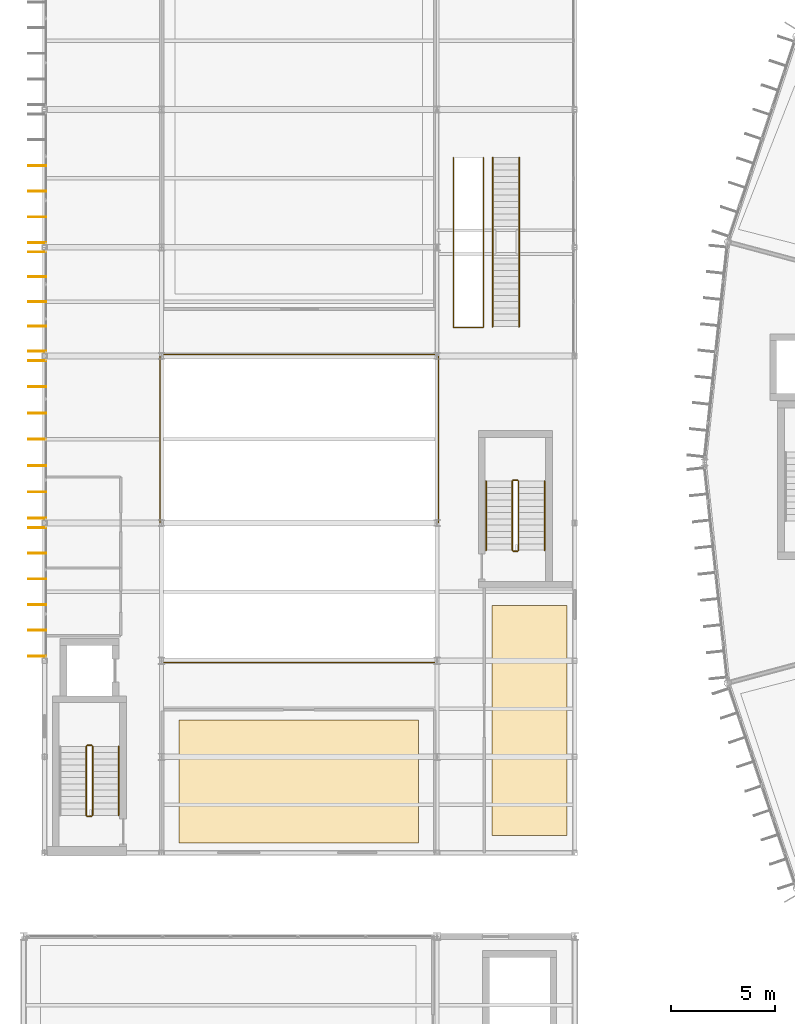
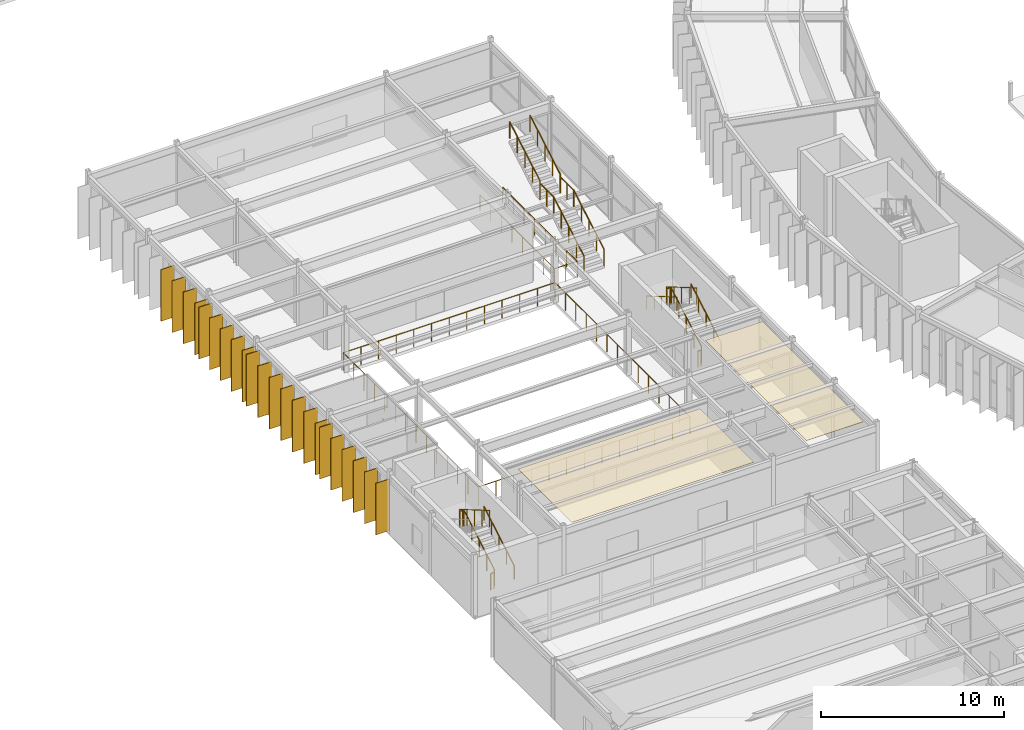
# One storey, part 135 of 147: 22 shading devices, 19 railings, 2 coverings.
"""IFC4 building model written with IfcOpenShell, lengths in metres."""

from ifc_helpers import new_model, si_unit, direction, frame, origin, origin_2d, place, context, subcontext, project, spatial, polyline, rectangle, circle, outline, extrude, material, layer, layer_set, type_object, element, save


model = new_model("IFC4")

# Units and contexts
model_context = context("Model", 3, precision=1e-05, world=origin(), true_north=direction((0.0, 1.0)))
body_context = subcontext(model_context, "Body", "Model", "MODEL_VIEW")
ifc_project = project(units=[si_unit("LENGTHUNIT", "METRE"), si_unit("AREAUNIT", "SQUARE_METRE"), si_unit("VOLUMEUNIT", "CUBIC_METRE"), si_unit("PLANEANGLEUNIT", "RADIAN"), si_unit("MASSUNIT", "GRAM", prefix="KILO")], contexts=[model_context])

# Site, building, storey
site_placement = place(None, origin())
site = spatial("IfcSite", under=ifc_project, at=site_placement, CompositionType="ELEMENT")
building_placement = place(site_placement, origin())
building = spatial("IfcBuilding", under=site, at=building_placement, Name="Karori Crest Natural Sciences Institute", CompositionType="ELEMENT")
storey_placement = place(building_placement, frame((0.0, 0.0, 9.10009765625)))
storey = spatial("IfcBuildingStorey", under=building, at=storey_placement, Name="L02", CompositionType="ELEMENT", Elevation=9.10009765625)

# Coverings
ifc_material_1 = material(Name="Acoustic mineral fibre ceiling tile")
ifc_layer_1 = layer(ifc_material_1, 0.02490234375, Name="Acoustic mineral fibre ceiling tile")
ifc_layer_set_1 = layer_set([ifc_layer_1], Name="Acoustic mineral fibre ceiling tile")
covering_type = type_object("IfcCoveringType", Name="CVT-CEIL", PredefinedType="CEILING", material=ifc_layer_set_1)
covering_1_placement = place(storey_placement, frame((0.0, 0.0, 3.704833984375)))
element("IfcCovering", 1, at=covering_1_placement, inside=storey, type_object=covering_type, Name="Acoustic ceiling CLG-0052", PredefinedType="CEILING", context=body_context, shape_type="SweptSolid", body=[
    extrude(outline(polyline([(8.23291015625, 37.570556640625), (8.23291015625, 31.679443359375), (19.71728515625, 31.679443359375), (19.71728515625, 37.570556640625), (8.23291015625, 37.570556640625)])), origin(), (0.0, 0.0, 1.0), 0.025146484375),
])
covering_2_placement = place(storey_placement, frame((0.0, 0.0, 3.704833984375)))
element("IfcCovering", 2, at=covering_2_placement, inside=storey, type_object=covering_type, Name="Acoustic ceiling CLG-0053", PredefinedType="CEILING", context=body_context, shape_type="SweptSolid", body=[
    extrude(outline(polyline([(23.22705078125, 43.054443359375), (23.22705078125, 32.025390625), (26.822998046875, 32.025390625), (26.822998046875, 43.054443359375), (23.22705078125, 43.054443359375)])), origin(), (0.0, 0.0, 1.0), 0.025146484375),
])

# Railings
ifc_material_2 = material(Name="Stainless steel 316 balustrade", Category="steel")
railing_type_1 = type_object("IfcRailingType", Name="RLT-GRD", PredefinedType="GUARDRAIL", material=ifc_material_2)
railing_1_placement = place(storey_placement, frame((7.320068359375, 40.320068359375, 0.0)))
element("IfcRailing", 3, at=railing_1_placement, inside=storey, type_object=railing_type_1, Name="Atrium void perimeter guard GR-0009", PredefinedType="GUARDRAIL", context=body_context, shape_type="SweptSolid", body=[
    extrude(circle(Radius=0.02392578125, at=origin_2d()), frame((0.0, 0.0, 1.17578125), z_axis=(1.0, 0.0, 0.0), x_axis=(0.0, 1.0, 0.0)), (0.0, 0.0, 1.0), 13.35986328125),
    extrude(circle(Radius=0.02392578125, at=origin_2d()), frame((13.35986328125, 0.0, 1.17578125), z_axis=(0.0, 1.0, 0.0), x_axis=(-1.0, 0.0, 0.0)), (0.0, 0.0, 1.0), 14.760009765625),
    extrude(circle(Radius=0.02392578125, at=origin_2d()), frame((13.35986328125, 14.760009765625, 1.17578125), z_axis=(-1.0, 0.0, 0.0), x_axis=(0.0, -1.0, 0.0)), (0.0, 0.0, 1.0), 13.35986328125),
    extrude(circle(Radius=0.02392578125, at=origin_2d()), frame((0.0, 14.760009765625, 1.17578125), z_axis=(0.0, -1.0, 0.0), x_axis=(1.0, 0.0, 0.0)), (0.0, 0.0, 1.0), 14.760009765625),
    extrude(circle(Radius=0.02099609375, at=origin_2d()), origin(), (0.0, 0.0, 1.0), 1.15185546875),
    extrude(circle(Radius=0.02099609375, at=origin_2d()), frame((1.11328125, 0.0, 0.0)), (0.0, 0.0, 1.0), 1.15185546875),
    extrude(circle(Radius=0.02099609375, at=origin_2d()), frame((2.2265625, 0.0, 0.0)), (0.0, 0.0, 1.0), 1.15185546875),
    extrude(circle(Radius=0.02099609375, at=origin_2d()), frame((3.33984375, 0.0, 0.0)), (0.0, 0.0, 1.0), 1.15185546875),
    extrude(circle(Radius=0.02099609375, at=origin_2d()), frame((4.453369140625, 0.0, 0.0)), (0.0, 0.0, 1.0), 1.15185546875),
    extrude(circle(Radius=0.02099609375, at=origin_2d()), frame((5.566650390625, 0.0, 0.0)), (0.0, 0.0, 1.0), 1.15185546875),
    extrude(circle(Radius=0.02099609375, at=origin_2d()), frame((6.679931640625, 0.0, 0.0)), (0.0, 0.0, 1.0), 1.15185546875),
    extrude(circle(Radius=0.02099609375, at=origin_2d()), frame((7.793212890625, 0.0, 0.0)), (0.0, 0.0, 1.0), 1.15185546875),
    extrude(circle(Radius=0.02099609375, at=origin_2d()), frame((8.906494140625, 0.0, 0.0)), (0.0, 0.0, 1.0), 1.15185546875),
    extrude(circle(Radius=0.02099609375, at=origin_2d()), frame((10.02001953125, 0.0, 0.0)), (0.0, 0.0, 1.0), 1.15185546875),
    extrude(circle(Radius=0.02099609375, at=origin_2d()), frame((11.13330078125, 0.0, 0.0)), (0.0, 0.0, 1.0), 1.15185546875),
    extrude(circle(Radius=0.02099609375, at=origin_2d()), frame((12.24658203125, 0.0, 0.0)), (0.0, 0.0, 1.0), 1.15185546875),
    extrude(circle(Radius=0.02099609375, at=origin_2d()), frame((13.35986328125, 0.0, 0.0)), (0.0, 0.0, 1.0), 1.15185546875),
    extrude(circle(Radius=0.02099609375, at=origin_2d()), frame((13.35986328125, 1.135498046875, 0.0)), (0.0, 0.0, 1.0), 1.15185546875),
    extrude(circle(Radius=0.02099609375, at=origin_2d()), frame((13.35986328125, 2.270751953125, 0.0)), (0.0, 0.0, 1.0), 1.15185546875),
    extrude(circle(Radius=0.02099609375, at=origin_2d()), frame((13.35986328125, 3.40625, 0.0)), (0.0, 0.0, 1.0), 1.15185546875),
    extrude(circle(Radius=0.02099609375, at=origin_2d()), frame((13.35986328125, 4.54150390625, 0.0)), (0.0, 0.0, 1.0), 1.15185546875),
    extrude(circle(Radius=0.02099609375, at=origin_2d()), frame((13.35986328125, 5.677001953125, 0.0)), (0.0, 0.0, 1.0), 1.15185546875),
    extrude(circle(Radius=0.02099609375, at=origin_2d()), frame((13.35986328125, 6.812255859375, 0.0)), (0.0, 0.0, 1.0), 1.15185546875),
    extrude(circle(Radius=0.02099609375, at=origin_2d()), frame((13.35986328125, 7.94775390625, 0.0)), (0.0, 0.0, 1.0), 1.15185546875),
    extrude(circle(Radius=0.02099609375, at=origin_2d()), frame((13.35986328125, 9.0830078125, 0.0)), (0.0, 0.0, 1.0), 1.15185546875),
    extrude(circle(Radius=0.02099609375, at=origin_2d()), frame((13.35986328125, 10.218505859375, 0.0)), (0.0, 0.0, 1.0), 1.15185546875),
    extrude(circle(Radius=0.02099609375, at=origin_2d()), frame((13.35986328125, 11.353759765625, 0.0)), (0.0, 0.0, 1.0), 1.15185546875),
    extrude(circle(Radius=0.02099609375, at=origin_2d()), frame((13.35986328125, 12.4892578125, 0.0)), (0.0, 0.0, 1.0), 1.15185546875),
    extrude(circle(Radius=0.02099609375, at=origin_2d()), frame((13.35986328125, 13.62451171875, 0.0)), (0.0, 0.0, 1.0), 1.15185546875),
    extrude(circle(Radius=0.02099609375, at=origin_2d()), frame((13.35986328125, 14.760009765625, 0.0)), (0.0, 0.0, 1.0), 1.15185546875),
    extrude(circle(Radius=0.02099609375, at=origin_2d()), frame((12.24658203125, 14.760009765625, 0.0)), (0.0, 0.0, 1.0), 1.15185546875),
    extrude(circle(Radius=0.02099609375, at=origin_2d()), frame((11.13330078125, 14.760009765625, 0.0)), (0.0, 0.0, 1.0), 1.15185546875),
    extrude(circle(Radius=0.02099609375, at=origin_2d()), frame((10.02001953125, 14.760009765625, 0.0)), (0.0, 0.0, 1.0), 1.15185546875),
    extrude(circle(Radius=0.02099609375, at=origin_2d()), frame((8.906494140625, 14.760009765625, 0.0)), (0.0, 0.0, 1.0), 1.15185546875),
    extrude(circle(Radius=0.02099609375, at=origin_2d()), frame((7.793212890625, 14.760009765625, 0.0)), (0.0, 0.0, 1.0), 1.15185546875),
    extrude(circle(Radius=0.02099609375, at=origin_2d()), frame((6.679931640625, 14.760009765625, 0.0)), (0.0, 0.0, 1.0), 1.15185546875),
    extrude(circle(Radius=0.02099609375, at=origin_2d()), frame((5.566650390625, 14.760009765625, 0.0)), (0.0, 0.0, 1.0), 1.15185546875),
    extrude(circle(Radius=0.02099609375, at=origin_2d()), frame((4.453369140625, 14.760009765625, 0.0)), (0.0, 0.0, 1.0), 1.15185546875),
    extrude(circle(Radius=0.02099609375, at=origin_2d()), frame((3.33984375, 14.760009765625, 0.0)), (0.0, 0.0, 1.0), 1.15185546875),
    extrude(circle(Radius=0.02099609375, at=origin_2d()), frame((2.2265625, 14.760009765625, 0.0)), (0.0, 0.0, 1.0), 1.15185546875),
    extrude(circle(Radius=0.02099609375, at=origin_2d()), frame((1.11328125, 14.760009765625, 0.0)), (0.0, 0.0, 1.0), 1.15185546875),
    extrude(circle(Radius=0.02099609375, at=origin_2d()), frame((0.0, 14.760009765625, 0.0)), (0.0, 0.0, 1.0), 1.15185546875),
    extrude(circle(Radius=0.02099609375, at=origin_2d()), frame((0.0, 13.62451171875, 0.0)), (0.0, 0.0, 1.0), 1.15185546875),
    extrude(circle(Radius=0.02099609375, at=origin_2d()), frame((0.0, 12.4892578125, 0.0)), (0.0, 0.0, 1.0), 1.15185546875),
    extrude(circle(Radius=0.02099609375, at=origin_2d()), frame((0.0, 11.353759765625, 0.0)), (0.0, 0.0, 1.0), 1.15185546875),
    extrude(circle(Radius=0.02099609375, at=origin_2d()), frame((0.0, 10.218505859375, 0.0)), (0.0, 0.0, 1.0), 1.15185546875),
    extrude(circle(Radius=0.02099609375, at=origin_2d()), frame((0.0, 9.0830078125, 0.0)), (0.0, 0.0, 1.0), 1.15185546875),
    extrude(circle(Radius=0.02099609375, at=origin_2d()), frame((0.0, 7.94775390625, 0.0)), (0.0, 0.0, 1.0), 1.15185546875),
    extrude(circle(Radius=0.02099609375, at=origin_2d()), frame((0.0, 6.812255859375, 0.0)), (0.0, 0.0, 1.0), 1.15185546875),
    extrude(circle(Radius=0.02099609375, at=origin_2d()), frame((0.0, 5.677001953125, 0.0)), (0.0, 0.0, 1.0), 1.15185546875),
    extrude(circle(Radius=0.02099609375, at=origin_2d()), frame((0.0, 4.54150390625, 0.0)), (0.0, 0.0, 1.0), 1.15185546875),
    extrude(circle(Radius=0.02099609375, at=origin_2d()), frame((0.0, 3.40625, 0.0)), (0.0, 0.0, 1.0), 1.15185546875),
    extrude(circle(Radius=0.02099609375, at=origin_2d()), frame((0.0, 2.270751953125, 0.0)), (0.0, 0.0, 1.0), 1.15185546875),
    extrude(circle(Radius=0.02099609375, at=origin_2d()), frame((0.0, 1.135498046875, 0.0)), (0.0, 0.0, 1.0), 1.15185546875),
])
ifc_material_3 = material(Name="Stainless steel 316 tubular handrail", Category="steel")
railing_type_2 = type_object("IfcRailingType", Name="RLT-HND", PredefinedType="HANDRAIL", material=ifc_material_3)
for number, where, name in (
    (4, (5.35009765625, 33.0, 0.1748046875), "Stair handrail RL-0329"),
    (5, (25.75, 45.699951171875, 0.1748046875), "Stair handrail RL-0360"),
):
    element("IfcRailing", number, at=place(storey_placement, frame(where)), inside=storey, type_object=railing_type_2, Name=name, PredefinedType="HANDRAIL", context=body_context, shape_type="SweptSolid", body=[
        extrude(circle(Radius=0.02392578125, at=origin_2d()), frame((0.0, 0.0, 0.90087890625), z_axis=(0.0, 0.863776583165, 0.503874998761), x_axis=(-1.0, 0.0, 0.0)), (0.0, 0.0, 1.0), 3.820556640625),
        extrude(circle(Radius=0.02099609375, at=origin_2d()), origin(), (0.0, 0.0, 1.0), 0.876953125),
        extrude(circle(Radius=0.02099609375, at=origin_2d()), frame((0.0, 0.824951171875, 0.481201171875)), (0.0, 0.0, 1.0), 0.876953125),
        extrude(circle(Radius=0.02099609375, at=origin_2d()), frame((0.0, 1.64990234375, 0.96240234375)), (0.0, 0.0, 1.0), 0.876953125),
        extrude(circle(Radius=0.02099609375, at=origin_2d()), frame((0.0, 2.47509765625, 1.44384765625)), (0.0, 0.0, 1.0), 0.876953125),
        extrude(circle(Radius=0.02099609375, at=origin_2d()), frame((0.0, 3.300048828125, 1.925048828125)), (0.0, 0.0, 1.0), 0.876953125),
    ])
railing_2_placement = place(storey_placement, frame((22.949951171875, 49.0, 2.27490234375)))
element("IfcRailing", 6, at=railing_2_placement, inside=storey, type_object=railing_type_2, Name="Stair handrail RL-0361", PredefinedType="HANDRAIL", context=body_context, shape_type="SweptSolid", body=[
    extrude(circle(Radius=0.02392578125, at=origin_2d()), frame((0.0, 0.0, 0.90087890625), z_axis=(0.0, -0.863776583165, 0.503874998761), x_axis=(1.0, 0.0, 0.0)), (0.0, 0.0, 1.0), 3.820556640625),
    extrude(circle(Radius=0.02099609375, at=origin_2d()), origin(), (0.0, 0.0, 1.0), 0.876953125),
    extrude(circle(Radius=0.02099609375, at=origin_2d()), frame((0.0, -0.824951171875, 0.481201171875)), (0.0, 0.0, 1.0), 0.876953125),
    extrude(circle(Radius=0.02099609375, at=origin_2d()), frame((0.0, -1.64990234375, 0.96240234375)), (0.0, 0.0, 1.0), 0.876953125),
    extrude(circle(Radius=0.02099609375, at=origin_2d()), frame((0.0, -2.47509765625, 1.44384765625)), (0.0, 0.0, 1.0), 0.876953125),
    extrude(circle(Radius=0.02099609375, at=origin_2d()), frame((0.0, -3.300048828125, 1.925048828125)), (0.0, 0.0, 1.0), 0.876953125),
])
ifc_material_4 = material(Name="Stainless steel 316 stair guard", Category="steel")
railing_type_3 = type_object("IfcRailingType", Name="RLT-STG", PredefinedType="GUARDRAIL", material=ifc_material_4)
railing_3_placement = place(storey_placement, frame((4.10009765625, 33.0, 0.1748046875)))
element("IfcRailing", 7, at=railing_3_placement, inside=storey, type_object=railing_type_3, Name="Stair guard RL-0325", PredefinedType="GUARDRAIL", context=body_context, shape_type="SweptSolid", body=[
    extrude(circle(Radius=0.02392578125, at=origin_2d()), frame((0.0, 0.0, 1.076171875), z_axis=(0.0, 0.863776583165, 0.503874998761), x_axis=(-1.0, 0.0, 0.0)), (0.0, 0.0, 1.0), 3.820556640625),
    extrude(circle(Radius=0.02099609375, at=origin_2d()), origin(), (0.0, 0.0, 1.0), 1.052001953125),
    extrude(circle(Radius=0.02099609375, at=origin_2d()), frame((0.0, 0.824951171875, 0.481201171875)), (0.0, 0.0, 1.0), 1.052001953125),
    extrude(circle(Radius=0.02099609375, at=origin_2d()), frame((0.0, 1.64990234375, 0.96240234375)), (0.0, 0.0, 1.0), 1.052001953125),
    extrude(circle(Radius=0.02099609375, at=origin_2d()), frame((0.0, 2.47509765625, 1.44384765625)), (0.0, 0.0, 1.0), 1.052001953125),
    extrude(circle(Radius=0.02099609375, at=origin_2d()), frame((0.0, 3.300048828125, 1.925048828125)), (0.0, 0.0, 1.0), 1.052001953125),
])
railing_4_placement = place(storey_placement, frame((4.050048828125, 36.35009765625, 2.099853515625)))
element("IfcRailing", 8, at=railing_4_placement, inside=storey, type_object=railing_type_3, Name="Stair guard RL-0326", PredefinedType="GUARDRAIL", context=body_context, shape_type="SweptSolid", body=[
    extrude(circle(Radius=0.02392578125, at=origin_2d()), frame((0.0, 0.0, 1.076171875), z_axis=(-1.0, 0.0, 0.0), x_axis=(0.0, -1.0, 0.0)), (0.0, 0.0, 1.0), 0.199951171875),
    extrude(circle(Radius=0.02099609375, at=origin_2d()), origin(), (0.0, 0.0, 1.0), 1.052001953125),
    extrude(circle(Radius=0.02099609375, at=origin_2d()), frame((-0.199951171875, 0.0, 0.0)), (0.0, 0.0, 1.0), 1.052001953125),
])
railing_5_placement = place(storey_placement, frame((3.800048828125, 36.300048828125, 2.27490234375)))
element("IfcRailing", 9, at=railing_5_placement, inside=storey, type_object=railing_type_3, Name="Stair guard RL-0327", PredefinedType="GUARDRAIL", context=body_context, shape_type="SweptSolid", body=[
    extrude(circle(Radius=0.02392578125, at=origin_2d()), frame((0.0, 0.0, 1.076171875), z_axis=(0.0, -0.863776583165, 0.503874998761), x_axis=(1.0, 0.0, 0.0)), (0.0, 0.0, 1.0), 3.820556640625),
    extrude(circle(Radius=0.02099609375, at=origin_2d()), origin(), (0.0, 0.0, 1.0), 1.052001953125),
    extrude(circle(Radius=0.02099609375, at=origin_2d()), frame((0.0, -0.824951171875, 0.481201171875)), (0.0, 0.0, 1.0), 1.052001953125),
    extrude(circle(Radius=0.02099609375, at=origin_2d()), frame((0.0, -1.64990234375, 0.96240234375)), (0.0, 0.0, 1.0), 1.052001953125),
    extrude(circle(Radius=0.02099609375, at=origin_2d()), frame((0.0, -2.47509765625, 1.44384765625)), (0.0, 0.0, 1.0), 1.052001953125),
    extrude(circle(Radius=0.02099609375, at=origin_2d()), frame((0.0, -3.300048828125, 1.925048828125)), (0.0, 0.0, 1.0), 1.052001953125),
])
railing_6_placement = place(storey_placement, frame((4.050048828125, 32.949951171875, 0.0)))
element("IfcRailing", 10, at=railing_6_placement, inside=storey, type_object=railing_type_3, Name="Stair guard RL-0328", PredefinedType="GUARDRAIL", context=body_context, shape_type="SweptSolid", body=[
    extrude(circle(Radius=0.02392578125, at=origin_2d()), frame((0.0, 0.0, 1.076171875), z_axis=(-1.0, 0.0, 0.0), x_axis=(0.0, -1.0, 0.0)), (0.0, 0.0, 1.0), 0.199951171875),
    extrude(circle(Radius=0.02099609375, at=origin_2d()), origin(), (0.0, 0.0, 1.0), 1.052001953125),
    extrude(circle(Radius=0.02099609375, at=origin_2d()), frame((-0.199951171875, 0.0, 0.0)), (0.0, 0.0, 1.0), 1.052001953125),
])
railing_7_placement = place(storey_placement, frame((24.5, 45.699951171875, 0.1748046875)))
element("IfcRailing", 11, at=railing_7_placement, inside=storey, type_object=railing_type_3, Name="Stair guard RL-0356", PredefinedType="GUARDRAIL", context=body_context, shape_type="SweptSolid", body=[
    extrude(circle(Radius=0.02392578125, at=origin_2d()), frame((0.0, 0.0, 1.076171875), z_axis=(0.0, 0.863776583165, 0.503874998761), x_axis=(-1.0, 0.0, 0.0)), (0.0, 0.0, 1.0), 3.820556640625),
    extrude(circle(Radius=0.02099609375, at=origin_2d()), origin(), (0.0, 0.0, 1.0), 1.052001953125),
    extrude(circle(Radius=0.02099609375, at=origin_2d()), frame((0.0, 0.824951171875, 0.481201171875)), (0.0, 0.0, 1.0), 1.052001953125),
    extrude(circle(Radius=0.02099609375, at=origin_2d()), frame((0.0, 1.64990234375, 0.96240234375)), (0.0, 0.0, 1.0), 1.052001953125),
    extrude(circle(Radius=0.02099609375, at=origin_2d()), frame((0.0, 2.47509765625, 1.44384765625)), (0.0, 0.0, 1.0), 1.052001953125),
    extrude(circle(Radius=0.02099609375, at=origin_2d()), frame((0.0, 3.300048828125, 1.925048828125)), (0.0, 0.0, 1.0), 1.052001953125),
])
railing_8_placement = place(storey_placement, frame((24.449951171875, 49.050048828125, 2.099853515625)))
element("IfcRailing", 12, at=railing_8_placement, inside=storey, type_object=railing_type_3, Name="Stair guard RL-0357", PredefinedType="GUARDRAIL", context=body_context, shape_type="SweptSolid", body=[
    extrude(circle(Radius=0.02392578125, at=origin_2d()), frame((0.0, 0.0, 1.076171875), z_axis=(-1.0, 0.0, 0.0), x_axis=(0.0, -1.0, 0.0)), (0.0, 0.0, 1.0), 0.199951171875),
    extrude(circle(Radius=0.02099609375, at=origin_2d()), origin(), (0.0, 0.0, 1.0), 1.052001953125),
    extrude(circle(Radius=0.02099609375, at=origin_2d()), frame((-0.199951171875, 0.0, 0.0)), (0.0, 0.0, 1.0), 1.052001953125),
])
railing_9_placement = place(storey_placement, frame((24.199951171875, 49.0, 2.27490234375)))
element("IfcRailing", 13, at=railing_9_placement, inside=storey, type_object=railing_type_3, Name="Stair guard RL-0358", PredefinedType="GUARDRAIL", context=body_context, shape_type="SweptSolid", body=[
    extrude(circle(Radius=0.02392578125, at=origin_2d()), frame((0.0, 0.0, 1.076171875), z_axis=(0.0, -0.863776583165, 0.503874998761), x_axis=(1.0, 0.0, 0.0)), (0.0, 0.0, 1.0), 3.820556640625),
    extrude(circle(Radius=0.02099609375, at=origin_2d()), origin(), (0.0, 0.0, 1.0), 1.052001953125),
    extrude(circle(Radius=0.02099609375, at=origin_2d()), frame((0.0, -0.824951171875, 0.481201171875)), (0.0, 0.0, 1.0), 1.052001953125),
    extrude(circle(Radius=0.02099609375, at=origin_2d()), frame((0.0, -1.64990234375, 0.96240234375)), (0.0, 0.0, 1.0), 1.052001953125),
    extrude(circle(Radius=0.02099609375, at=origin_2d()), frame((0.0, -2.47509765625, 1.44384765625)), (0.0, 0.0, 1.0), 1.052001953125),
    extrude(circle(Radius=0.02099609375, at=origin_2d()), frame((0.0, -3.300048828125, 1.925048828125)), (0.0, 0.0, 1.0), 1.052001953125),
])
railing_10_placement = place(storey_placement, frame((24.449951171875, 45.64990234375, 0.0)))
element("IfcRailing", 14, at=railing_10_placement, inside=storey, type_object=railing_type_3, Name="Stair guard RL-0359", PredefinedType="GUARDRAIL", context=body_context, shape_type="SweptSolid", body=[
    extrude(circle(Radius=0.02392578125, at=origin_2d()), frame((0.0, 0.0, 1.076171875), z_axis=(-1.0, 0.0, 0.0), x_axis=(0.0, -1.0, 0.0)), (0.0, 0.0, 1.0), 0.199951171875),
    extrude(circle(Radius=0.02099609375, at=origin_2d()), origin(), (0.0, 0.0, 1.0), 1.052001953125),
    extrude(circle(Radius=0.02099609375, at=origin_2d()), frame((-0.199951171875, 0.0, 0.0)), (0.0, 0.0, 1.0), 1.052001953125),
])
railing_11_placement = place(storey_placement, frame((21.385009765625, 64.5, 0.0)))
element("IfcRailing", 15, at=railing_11_placement, inside=storey, type_object=railing_type_3, Name="Feature stair well guard RL-0420", PredefinedType="GUARDRAIL", context=body_context, shape_type="SweptSolid", body=[
    extrude(circle(Radius=0.02392578125, at=origin_2d()), frame((0.0, 0.0, 1.076171875), z_axis=(0.0, -1.0, 0.0), x_axis=(1.0, 0.0, 0.0)), (0.0, 0.0, 1.0), 8.139892578125),
    extrude(circle(Radius=0.02392578125, at=origin_2d()), frame((0.0, -8.139892578125, 1.076171875), z_axis=(1.0, 0.0, 0.0), x_axis=(0.0, 1.0, 0.0)), (0.0, 0.0, 1.0), 1.429931640625),
    extrude(circle(Radius=0.02392578125, at=origin_2d()), frame((1.429931640625, -8.139892578125, 1.076171875), z_axis=(0.0, 1.0, 0.0), x_axis=(-1.0, 0.0, 0.0)), (0.0, 0.0, 1.0), 8.139892578125),
    extrude(circle(Radius=0.02099609375, at=origin_2d()), origin(), (0.0, 0.0, 1.0), 1.052001953125),
    extrude(circle(Radius=0.02099609375, at=origin_2d()), frame((0.0, -1.162841796875, 0.0)), (0.0, 0.0, 1.0), 1.052001953125),
    extrude(circle(Radius=0.02099609375, at=origin_2d()), frame((0.0, -2.32568359375, 0.0)), (0.0, 0.0, 1.0), 1.052001953125),
    extrude(circle(Radius=0.02099609375, at=origin_2d()), frame((0.0, -3.488525390625, 0.0)), (0.0, 0.0, 1.0), 1.052001953125),
    extrude(circle(Radius=0.02099609375, at=origin_2d()), frame((0.0, -4.6513671875, 0.0)), (0.0, 0.0, 1.0), 1.052001953125),
    extrude(circle(Radius=0.02099609375, at=origin_2d()), frame((0.0, -5.814208984375, 0.0)), (0.0, 0.0, 1.0), 1.052001953125),
    extrude(circle(Radius=0.02099609375, at=origin_2d()), frame((0.0, -6.97705078125, 0.0)), (0.0, 0.0, 1.0), 1.052001953125),
    extrude(circle(Radius=0.02099609375, at=origin_2d()), frame((0.0, -8.139892578125, 0.0)), (0.0, 0.0, 1.0), 1.052001953125),
    extrude(circle(Radius=0.02099609375, at=origin_2d()), frame((0.71484375, -8.139892578125, 0.0)), (0.0, 0.0, 1.0), 1.052001953125),
    extrude(circle(Radius=0.02099609375, at=origin_2d()), frame((1.429931640625, -8.139892578125, 0.0)), (0.0, 0.0, 1.0), 1.052001953125),
    extrude(circle(Radius=0.02099609375, at=origin_2d()), frame((1.429931640625, -6.97705078125, 0.0)), (0.0, 0.0, 1.0), 1.052001953125),
    extrude(circle(Radius=0.02099609375, at=origin_2d()), frame((1.429931640625, -5.814208984375, 0.0)), (0.0, 0.0, 1.0), 1.052001953125),
    extrude(circle(Radius=0.02099609375, at=origin_2d()), frame((1.429931640625, -4.6513671875, 0.0)), (0.0, 0.0, 1.0), 1.052001953125),
    extrude(circle(Radius=0.02099609375, at=origin_2d()), frame((1.429931640625, -3.488525390625, 0.0)), (0.0, 0.0, 1.0), 1.052001953125),
    extrude(circle(Radius=0.02099609375, at=origin_2d()), frame((1.429931640625, -2.32568359375, 0.0)), (0.0, 0.0, 1.0), 1.052001953125),
    extrude(circle(Radius=0.02099609375, at=origin_2d()), frame((1.429931640625, -1.162841796875, 0.0)), (0.0, 0.0, 1.0), 1.052001953125),
    extrude(circle(Radius=0.02099609375, at=origin_2d()), frame((1.429931640625, 0.0, 0.0)), (0.0, 0.0, 1.0), 1.052001953125),
])
railing_12_placement = place(storey_placement, frame((23.264892578125, 56.39990234375, 0.1748046875)))
element("IfcRailing", 16, at=railing_12_placement, inside=storey, type_object=railing_type_3, Name="Feature stair guard RL-0421", PredefinedType="GUARDRAIL", context=body_context, shape_type="SweptSolid", body=[
    extrude(circle(Radius=0.02392578125, at=origin_2d()), frame((0.0, 0.0, 1.076171875), z_axis=(0.0, 0.863776583165, 0.503874998761), x_axis=(-1.0, 0.0, 0.0)), (0.0, 0.0, 1.0), 3.820556640625),
    extrude(circle(Radius=0.02099609375, at=origin_2d()), origin(), (0.0, 0.0, 1.0), 1.052001953125),
    extrude(circle(Radius=0.02099609375, at=origin_2d()), frame((0.0, 0.824951171875, 0.481201171875)), (0.0, 0.0, 1.0), 1.052001953125),
    extrude(circle(Radius=0.02099609375, at=origin_2d()), frame((0.0, 1.64990234375, 0.96240234375)), (0.0, 0.0, 1.0), 1.052001953125),
    extrude(circle(Radius=0.02099609375, at=origin_2d()), frame((0.0, 2.47509765625, 1.44384765625)), (0.0, 0.0, 1.0), 1.052001953125),
    extrude(circle(Radius=0.02099609375, at=origin_2d()), frame((0.0, 3.300048828125, 1.925048828125)), (0.0, 0.0, 1.0), 1.052001953125),
])
railing_13_placement = place(storey_placement, frame((23.264892578125, 59.699951171875, 2.099853515625)))
element("IfcRailing", 17, at=railing_13_placement, inside=storey, type_object=railing_type_3, Name="Feature stair guard RL-0422", PredefinedType="GUARDRAIL", context=body_context, shape_type="SweptSolid", body=[
    extrude(circle(Radius=0.02392578125, at=origin_2d()), frame((0.0, 0.0, 1.076171875), z_axis=(0.0, 1.0, 0.0), x_axis=(-1.0, 0.0, 0.0)), (0.0, 0.0, 1.0), 1.5),
    extrude(circle(Radius=0.02099609375, at=origin_2d()), origin(), (0.0, 0.0, 1.0), 1.052001953125),
    extrude(circle(Radius=0.02099609375, at=origin_2d()), frame((0.0, 0.75, 0.0)), (0.0, 0.0, 1.0), 1.052001953125),
    extrude(circle(Radius=0.02099609375, at=origin_2d()), frame((0.0, 1.5, 0.0)), (0.0, 0.0, 1.0), 1.052001953125),
])
for number, where, name in (
    (18, (23.264892578125, 61.199951171875, 2.27490234375), "Feature stair guard RL-0423"),
    (19, (24.534912109375, 56.39990234375, 0.1748046875), "Feature stair guard RL-0424"),
):
    element("IfcRailing", number, at=place(storey_placement, frame(where)), inside=storey, type_object=railing_type_3, Name=name, PredefinedType="GUARDRAIL", context=body_context, shape_type="SweptSolid", body=[
        extrude(circle(Radius=0.02392578125, at=origin_2d()), frame((0.0, 0.0, 1.076171875), z_axis=(0.0, 0.863776583165, 0.503874998761), x_axis=(-1.0, 0.0, 0.0)), (0.0, 0.0, 1.0), 3.820556640625),
        extrude(circle(Radius=0.02099609375, at=origin_2d()), origin(), (0.0, 0.0, 1.0), 1.052001953125),
        extrude(circle(Radius=0.02099609375, at=origin_2d()), frame((0.0, 0.824951171875, 0.481201171875)), (0.0, 0.0, 1.0), 1.052001953125),
        extrude(circle(Radius=0.02099609375, at=origin_2d()), frame((0.0, 1.64990234375, 0.96240234375)), (0.0, 0.0, 1.0), 1.052001953125),
        extrude(circle(Radius=0.02099609375, at=origin_2d()), frame((0.0, 2.47509765625, 1.44384765625)), (0.0, 0.0, 1.0), 1.052001953125),
        extrude(circle(Radius=0.02099609375, at=origin_2d()), frame((0.0, 3.300048828125, 1.925048828125)), (0.0, 0.0, 1.0), 1.052001953125),
    ])
railing_14_placement = place(storey_placement, frame((24.534912109375, 59.699951171875, 2.099853515625)))
element("IfcRailing", 20, at=railing_14_placement, inside=storey, type_object=railing_type_3, Name="Feature stair guard RL-0425", PredefinedType="GUARDRAIL", context=body_context, shape_type="SweptSolid", body=[
    extrude(circle(Radius=0.02392578125, at=origin_2d()), frame((0.0, 0.0, 1.076171875), z_axis=(0.0, 1.0, 0.0), x_axis=(-1.0, 0.0, 0.0)), (0.0, 0.0, 1.0), 1.5),
    extrude(circle(Radius=0.02099609375, at=origin_2d()), origin(), (0.0, 0.0, 1.0), 1.052001953125),
    extrude(circle(Radius=0.02099609375, at=origin_2d()), frame((0.0, 0.75, 0.0)), (0.0, 0.0, 1.0), 1.052001953125),
    extrude(circle(Radius=0.02099609375, at=origin_2d()), frame((0.0, 1.5, 0.0)), (0.0, 0.0, 1.0), 1.052001953125),
])
railing_15_placement = place(storey_placement, frame((24.534912109375, 61.199951171875, 2.27490234375)))
element("IfcRailing", 21, at=railing_15_placement, inside=storey, type_object=railing_type_3, Name="Feature stair guard RL-0426", PredefinedType="GUARDRAIL", context=body_context, shape_type="SweptSolid", body=[
    extrude(circle(Radius=0.02392578125, at=origin_2d()), frame((0.0, 0.0, 1.076171875), z_axis=(0.0, 0.863776583165, 0.503874998761), x_axis=(-1.0, 0.0, 0.0)), (0.0, 0.0, 1.0), 3.820556640625),
    extrude(circle(Radius=0.02099609375, at=origin_2d()), origin(), (0.0, 0.0, 1.0), 1.052001953125),
    extrude(circle(Radius=0.02099609375, at=origin_2d()), frame((0.0, 0.824951171875, 0.481201171875)), (0.0, 0.0, 1.0), 1.052001953125),
    extrude(circle(Radius=0.02099609375, at=origin_2d()), frame((0.0, 1.64990234375, 0.96240234375)), (0.0, 0.0, 1.0), 1.052001953125),
    extrude(circle(Radius=0.02099609375, at=origin_2d()), frame((0.0, 2.47509765625, 1.44384765625)), (0.0, 0.0, 1.0), 1.052001953125),
    extrude(circle(Radius=0.02099609375, at=origin_2d()), frame((0.0, 3.300048828125, 1.925048828125)), (0.0, 0.0, 1.0), 1.052001953125),
])

# Shading devices
ifc_material_5 = material(Name="Anodised architectural aluminium 6063-T6", Category="aluminium")
ifc_layer_2 = layer(ifc_material_5, 0.044921875, Name="Anodised architectural aluminium 6063-T6")
ifc_layer_set_2 = layer_set([ifc_layer_2], Name="Anodised architectural aluminium 6063-T6")
shading_device_type = type_object("IfcShadingDeviceType", Name="SDT-FIN", PredefinedType="USERDEFINED", material=ifc_layer_set_2)
for number, where, z_axis, x_axis, name in (
    (22, (1.449951171875, 40.623046875, 0.0), (0.0, 0.0, 1.0), (-1.0, 0.0, 0.0), "Vertical solar fin FN-1319"),
    (23, (1.449951171875, 41.853759765625, 0.0), (0.0, 0.0, 1.0), (-1.0, 0.0, 0.0), "Vertical solar fin FN-1320"),
    (24, (1.449951171875, 43.084716796875, 0.0), (0.0, 0.0, 1.0), (-1.0, 0.0, 0.0), "Vertical solar fin FN-1321"),
    (25, (1.449951171875, 44.3154296875, 0.0), (0.0, 0.0, 1.0), (-1.0, 0.0, 0.0), "Vertical solar fin FN-1322"),
    (26, (1.449951171875, 45.546142578125, 0.0), (0.0, 0.0, 1.0), (-1.0, 0.0, 0.0), "Vertical solar fin FN-1323"),
    (27, (1.449951171875, 46.777099609375, 0.0), (0.0, 0.0, 1.0), (-1.0, 0.0, 0.0), "Vertical solar fin FN-1324"),
    (28, (1.449951171875, 47.222900390625, 0.0), (0.0, 0.0, 1.0), (-1.0, 0.0, 0.0), "Vertical solar fin FN-1325"),
    (29, (1.449951171875, 48.48193359375, 0.0), (0.0, 0.0, 1.0), (-1.0, 0.0, 0.0), "Vertical solar fin FN-1326"),
    (30, (1.449951171875, 49.740966796875, 0.0), (0.0, 0.0, 1.0), (-1.0, 0.0, 0.0), "Vertical solar fin FN-1327"),
    (31, (1.449951171875, 51.0, 0.0), (0.0, 0.0, 1.0), (-1.0, 0.0, 0.0), "Vertical solar fin FN-1328"),
    (32, (1.449951171875, 52.259033203125, 0.0), (0.0, 0.0, 1.0), (-1.0, 0.0, 0.0), "Vertical solar fin FN-1329"),
    (33, (1.449951171875, 53.51806640625, 0.0), (0.0, 0.0, 1.0), (-1.0, 0.0, 0.0), "Vertical solar fin FN-1330"),
    (34, (1.449951171875, 54.777099609375, 0.0), (0.0, 0.0, 1.0), (-1.0, 0.0, 0.0), "Vertical solar fin FN-1331"),
    (35, (1.449951171875, 55.222900390625, 0.0), (0.0, 0.0, 1.0), (-1.0, 0.0, 0.0), "Vertical solar fin FN-1332"),
    (36, (1.449951171875, 56.41162109375, 0.0), (0.0, 0.0, 1.0), (-1.0, 0.0, 0.0), "Vertical solar fin FN-1333"),
    (37, (1.449951171875, 57.60009765625, 0.0), (0.0, 0.0, 1.0), (-1.0, 0.0, 0.0), "Vertical solar fin FN-1334"),
    (38, (1.449951171875, 58.78857421875, 0.0), (0.0, 0.0, 1.0), (-1.0, 0.0, 0.0), "Vertical solar fin FN-1335"),
    (39, (1.449951171875, 59.97705078125, 0.0), (0.0, 0.0, 1.0), (-1.0, 0.0, 0.0), "Vertical solar fin FN-1336"),
    (40, (1.449951171875, 60.423095703125, 0.0), (0.0, 0.0, 1.0), (-1.0, 0.0, 0.0), "Vertical solar fin FN-1337"),
    (41, (1.449951171875, 61.65380859375, 0.0), (0.0, 0.0, 1.0), (-1.0, 0.0, 0.0), "Vertical solar fin FN-1338"),
    (42, (1.449951171875, 62.884521484375, 0.0), (0.0, 0.0, 1.0), (-1.0, 0.0, 0.0), "Vertical solar fin FN-1339"),
    (43, (1.449951171875, 64.115478515625, 0.0), (0.0, 0.0, 1.0), (-1.0, 0.0, 0.0), "Vertical solar fin FN-1340"),
):
    element("IfcShadingDevice", number, at=place(storey_placement, frame(where, z_axis=z_axis, x_axis=x_axis)), inside=storey, type_object=shading_device_type, Name=name, ObjectType="SOLAR_FIN", PredefinedType="USERDEFINED", context=body_context, shape_type="SweptSolid", body=[
        extrude(rectangle(XDim=0.85009765625, YDim=0.044921875, at=origin_2d()), origin(), (0.0, 0.0, 1.0), 3.445068359375),
    ])

save(model, "model.ifc")
